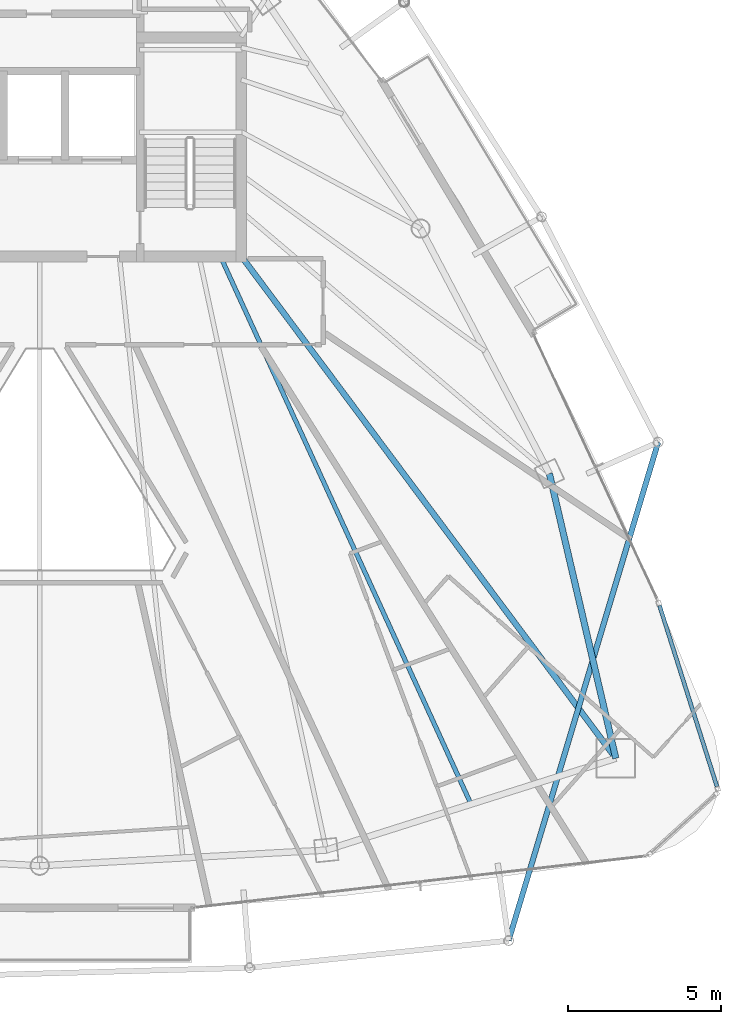
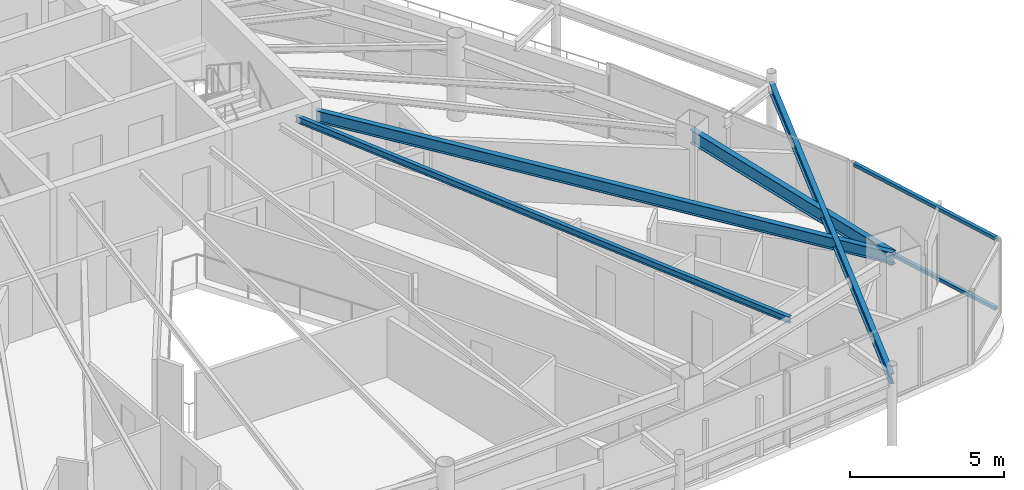
# One storey, part 15 of 29: 4 beams, 2 members, 1 element without a shape of its own.
"""IFC4 building model written with IfcOpenShell, lengths in metres."""

from ifc_helpers import new_model, si_unit, direction, frame, origin, origin_2d, place, context, subcontext, project, spatial, hollow_rectangle, i_section, extrude, material, layer, layer_set, material_profile, profile_set, type_object, element, aggregate, save


model = new_model("IFC4")

# Units and contexts
model_context = context("Model", 3, precision=1e-05, world=origin(), true_north=direction((0.0, 1.0)))
body_context = subcontext(model_context, "Body", "Model", "MODEL_VIEW")
ifc_project = project(units=[si_unit("LENGTHUNIT", "METRE"), si_unit("AREAUNIT", "SQUARE_METRE"), si_unit("VOLUMEUNIT", "CUBIC_METRE"), si_unit("PLANEANGLEUNIT", "RADIAN"), si_unit("MASSUNIT", "GRAM", prefix="KILO")], contexts=[model_context])

# Site, building, storey
site_placement = place(None, origin())
site = spatial("IfcSite", under=ifc_project, at=site_placement, CompositionType="ELEMENT")
building_placement = place(site_placement, origin())
building = spatial("IfcBuilding", under=site, at=building_placement, Name="Orvanel Arch Residences", CompositionType="ELEMENT")
storey_placement = place(building_placement, frame((0.0, 0.0, 253.550048828125)))
storey = spatial("IfcBuildingStorey", under=building, at=storey_placement, Name="L72", CompositionType="ELEMENT", Elevation=253.550048828125)

# Beams
ifc_material_1 = material(Name="Structural steel AS/NZS 3679.1 Grade 300 (300 MPa)", Category="steel")
ifc_material_profile_1 = material_profile(ifc_material_1, i_section(OverallWidth=0.19091796875, OverallDepth=0.4599609375, WebThickness=0.010009765625, FlangeThickness=0.01611328125, at=origin_2d()), Name="460UB82.1")
ifc_profile_set_1 = profile_set([ifc_material_profile_1], Name="Structural steel AS/NZS 3679.1 Grade 300 (300 MPa)")
beam_type_1 = type_object("IfcBeamType", Name="BG-460UB", PredefinedType="BEAM", material=ifc_profile_set_1)
beam_1_placement = place(storey_placement, frame((39.625, 26.675048828125, 2.669921875), z_axis=(0.597893733742, -0.801575375839, 0.0), x_axis=(0.801575375839, 0.597893733742, 0.0)))
element("IfcBeam", 1, at=beam_1_placement, inside=storey, type_object=beam_type_1, Name="L72 South-East Radial Girder", PredefinedType="BEAM", context=body_context, shape_type="SweptSolid", body=[
    extrude(i_section(OverallWidth=0.19091796875, OverallDepth=0.4599609375, WebThickness=0.010009765625, FlangeThickness=0.01611328125, at=origin_2d()), origin(), (0.0, 0.0, 1.0), 20.36474609375),
])
ifc_material_profile_2 = material_profile(ifc_material_1, i_section(OverallWidth=0.14599609375, OverallDepth=0.251953125, WebThickness=0.006103515625, FlangeThickness=0.008544921875, at=origin_2d()), Name="250UB31.4")
ifc_profile_set_2 = profile_set([ifc_material_profile_2], Name="Structural steel AS/NZS 3679.1 Grade 300 (300 MPa)")
beam_type_2 = type_object("IfcBeamType", Name="BJ-250UB", PredefinedType="JOIST", material=ifc_profile_set_2)
beam_2_placement = place(storey_placement, frame((38.89990234375, 26.72509765625, 2.77392578125), z_axis=(0.416009574066, -0.909360233508, 0.0), x_axis=(0.909360233508, 0.416009574066, 0.0)))
element("IfcBeam", 2, at=beam_2_placement, inside=storey, type_object=beam_type_2, Name="L72 JADD2 Wing Floor Joist", PredefinedType="JOIST", context=body_context, shape_type="SweptSolid", body=[
    extrude(i_section(OverallWidth=0.14599609375, OverallDepth=0.251953125, WebThickness=0.006103515625, FlangeThickness=0.008544921875, at=origin_2d()), origin(), (0.0, 0.0, 1.0), 19.653564453125),
])
ifc_material_profile_3 = material_profile(ifc_material_1, i_section(OverallWidth=0.177978515625, OverallDepth=0.406005859375, WebThickness=0.0078125, FlangeThickness=0.0126953125, at=origin_2d()), Name="410UB59.7")
ifc_profile_set_3 = profile_set([ifc_material_profile_3], Name="Structural steel AS/NZS 3679.1 Grade 300 (300 MPa)")
beam_type_3 = type_object("IfcBeamType", Name="OB-410UB-EXT", PredefinedType="SPANDREL", material=ifc_profile_set_3)
beam_3_placement = place(storey_placement, frame((48.302978515625, 4.402099609375, 2.697021484375), z_axis=(0.287420424458, 0.957804520559, 0.0), x_axis=(-0.957804520559, 0.287420424458, 0.0)))
element("IfcBeam", 3, at=beam_3_placement, inside=storey, type_object=beam_type_3, Name="L72 Outer Perimeter Floor Ring Beam 08", PredefinedType="SPANDREL", context=body_context, shape_type="SweptSolid", body=[
    extrude(i_section(OverallWidth=0.177978515625, OverallDepth=0.406005859375, WebThickness=0.0078125, FlangeThickness=0.0126953125, at=origin_2d()), origin(), (0.0, 0.0, 1.0), 16.982421875),
])
ifc_material_profile_4 = material_profile(ifc_material_1, i_section(OverallWidth=0.208984375, OverallDepth=0.532958984375, WebThickness=0.01025390625, FlangeThickness=0.015625, at=origin_2d()), Name="530UB92.4")
ifc_profile_set_4 = profile_set([ifc_material_profile_4], Name="Structural steel AS/NZS 3679.1 Grade 300 (300 MPa)")
beam_type_4 = type_object("IfcBeamType", Name="SP-530UB", PredefinedType="SPANDREL", material=ifc_profile_set_4)
beam_4_placement = place(storey_placement, frame((51.801025390625, 10.35107421875, 2.633056640625), z_axis=(-0.227236087167, 0.973839699688, 0.0), x_axis=(-0.973839699688, -0.227236087167, 0.0)))
element("IfcBeam", 4, at=beam_4_placement, inside=storey, type_object=beam_type_4, Name="L72 Perimeter Spandrel Beam 06", PredefinedType="SPANDREL", context=body_context, shape_type="SweptSolid", body=[
    extrude(i_section(OverallWidth=0.208984375, OverallDepth=0.532958984375, WebThickness=0.01025390625, FlangeThickness=0.015625, at=origin_2d()), origin(), (0.0, 0.0, 1.0), 9.54052734375),
])

# Curtain wall, members
ifc_material_2 = material(Name="Bronze-anodised aluminium AA6063-T6", Category="aluminium")
ifc_layer = layer(ifc_material_2, 0.18994140625)
ifc_layer_set = layer_set([ifc_layer], Name="Bronze-anodised aluminium AA6063-T6")
curtain_wall_type = type_object("IfcCurtainWallType", Name="CW5-CRN-SYS", PredefinedType="NOTDEFINED", material=ifc_layer_set)
curtain_wall_placement = place(storey_placement, origin())
curtain_wall = element("IfcCurtainWall", 5, at=curtain_wall_placement, inside=storey, type_object=curtain_wall_type, Name="L72 CW5-CRN-SYS Unitised Curtain Wall", PredefinedType="NOTDEFINED")
ifc_material_profile_5 = material_profile(ifc_material_2, hollow_rectangle(XDim=0.1298828125, YDim=0.1298828125, WallThickness=0.00439453125, at=origin_2d()), Name="ALU130x130x4.5")
ifc_profile_set_5 = profile_set([ifc_material_profile_5], Name="Bronze-anodised aluminium AA6063-T6")
member_type = type_object("IfcMemberType", Name="TRN-130x130", PredefinedType="USERDEFINED", material=ifc_profile_set_5)
member_1_placement = place(storey_placement, frame((55.103515625, 9.425048828125, 0.06494140625), z_axis=(-0.302687439533, 0.953089877162, 0.0), x_axis=(-0.953089877162, -0.302687439533, 0.0)))
member_1 = element("IfcMember", 6, at=member_1_placement, type_object=member_type, Name="CW-S5 transom 1.1", ObjectType="TRANSOM", PredefinedType="USERDEFINED", context=body_context, shape_type="SweptSolid", body=[
    extrude(hollow_rectangle(XDim=0.1298828125, YDim=0.1298828125, WallThickness=0.00439453125, at=origin_2d()), origin(), (0.0, 0.0, 1.0), 6.208251953125),
])
member_2_placement = place(storey_placement, frame((55.103515625, 9.425048828125, 2.8349609375), z_axis=(-0.302687439533, 0.953089877162, 0.0), x_axis=(-0.953089877162, -0.302687439533, 0.0)))
member_2 = element("IfcMember", 7, at=member_2_placement, type_object=member_type, Name="CW-S5 transom 1.2", ObjectType="TRANSOM", PredefinedType="USERDEFINED", context=body_context, shape_type="SweptSolid", body=[
    extrude(hollow_rectangle(XDim=0.1298828125, YDim=0.1298828125, WallThickness=0.00439453125, at=origin_2d()), origin(), (0.0, 0.0, 1.0), 6.208251953125),
])
aggregate(curtain_wall, [member_1, member_2])

save(model, "model.ifc")
